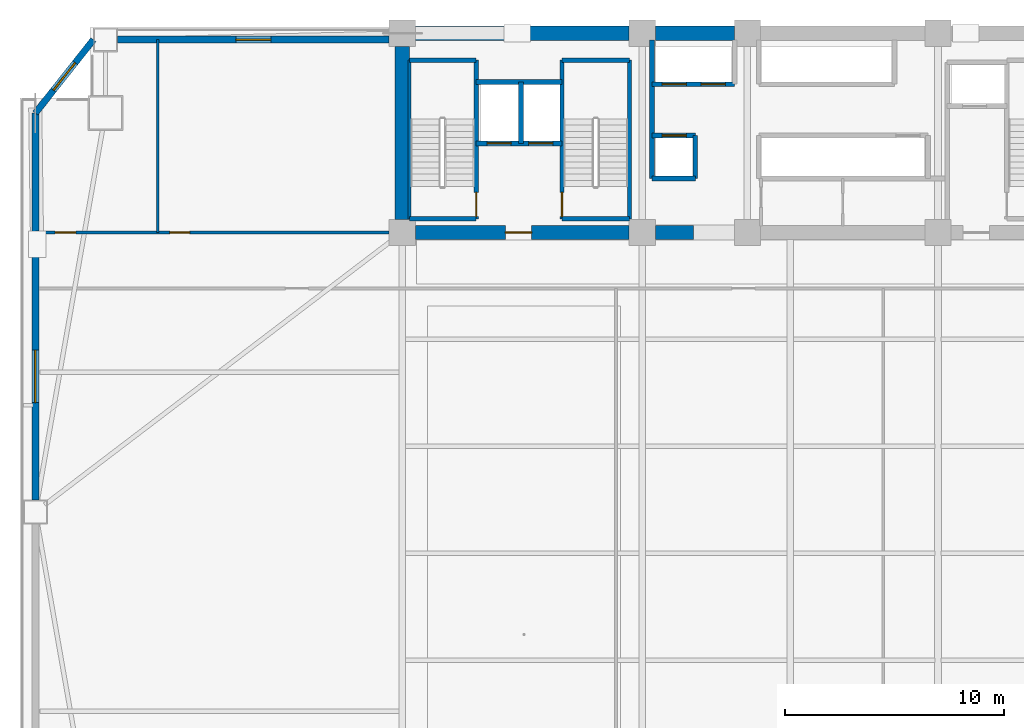
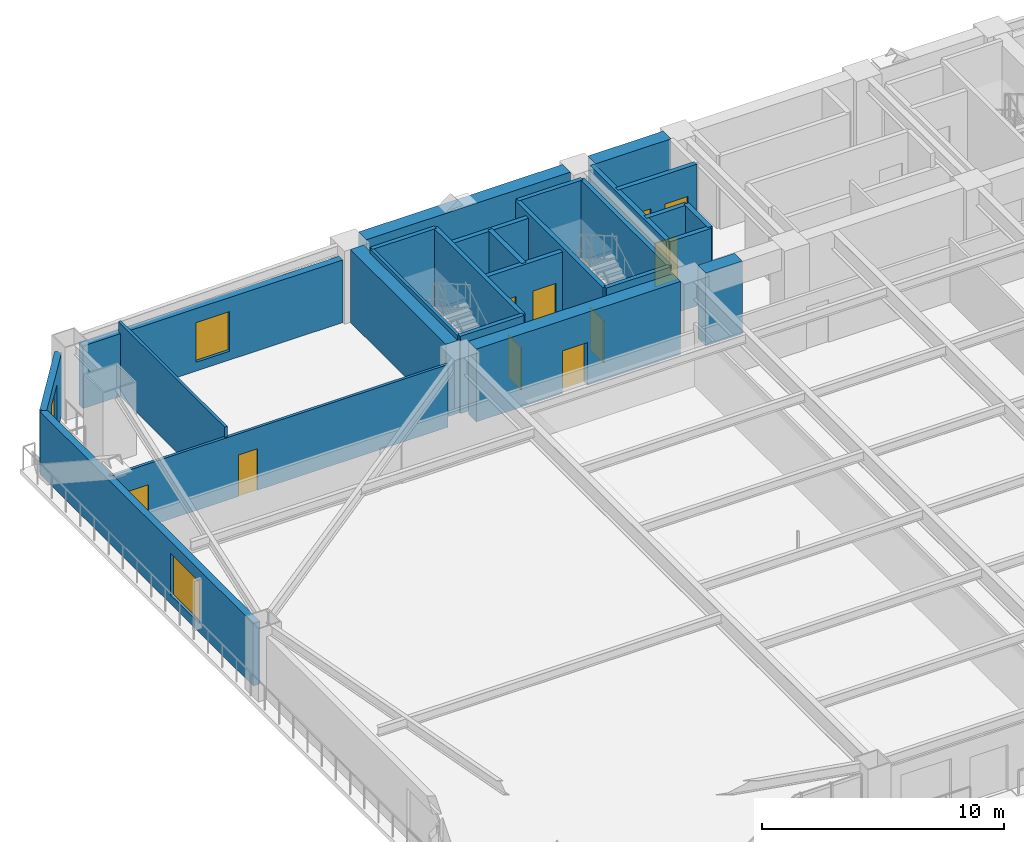
# One storey, part 9 of 17: 26 walls, 10 doors, 3 windows, 13 openings.
"""IFC4 building model written with IfcOpenShell, lengths in metres."""

from ifc_helpers import new_model, si_unit, direction, frame, frame_2d, origin, place, context, subcontext, project, spatial, rectangle, extrude, source, transform, mapped, material, layer, layer_set, type_object, element, fill, save


model = new_model("IFC4")

# Units and contexts
model_context = context("Model", 3, precision=1e-05, world=origin(), true_north=direction((0.0, 1.0)))
body_context = subcontext(model_context, "Body", "Model", "MODEL_VIEW")
ifc_project = project(units=[si_unit("LENGTHUNIT", "METRE"), si_unit("AREAUNIT", "SQUARE_METRE"), si_unit("VOLUMEUNIT", "CUBIC_METRE"), si_unit("PLANEANGLEUNIT", "RADIAN"), si_unit("MASSUNIT", "GRAM", prefix="KILO")], contexts=[model_context])

# Site, building, storey
site_placement = place(None, origin())
site = spatial("IfcSite", under=ifc_project, at=site_placement, CompositionType="ELEMENT")
building_placement = place(site_placement, origin())
building = spatial("IfcBuilding", under=site, at=building_placement, Name="Giltprow Tower", CompositionType="ELEMENT")
storey_placement = place(building_placement, frame((0.0, 0.0, 25.39990234375)))
storey = spatial("IfcBuildingStorey", under=building, at=storey_placement, Name="L06", CompositionType="ELEMENT", Elevation=25.39990234375)

# Wall, opening, window
ifc_material_1 = material(Name="Precast concrete C40", Category="concrete")
ifc_layer_1 = layer(ifc_material_1, 0.300048828125, Name="Precast concrete C40")
ifc_layer_set_1 = layer_set([ifc_layer_1], Name="Precast concrete C40")
wall_type_1 = type_object("IfcWallType", Name="EW-NOTCH-CHAMFER-300", PredefinedType="SOLIDWALL", material=ifc_layer_set_1)
wall_1_placement = place(storey_placement, frame((5.75, 46.25, 0.0), z_axis=(0.0, 0.0, 1.0), x_axis=(-0.620377885234, -0.784303053361, 0.0)))
wall_1 = element("IfcWall", 1, at=wall_1_placement, inside=storey, type_object=wall_type_1, Name="L06 Corner Notch Wall NW", PredefinedType="SOLIDWALL", context=body_context, shape_type="SweptSolid", body=[
    extrude(rectangle(XDim=4.271484375, YDim=0.300048828125, at=frame_2d((2.1357421875, 0.0))), origin(), (0.0, 0.0, 1.0), 3.16015625),
])
opening_1_placement = place(wall_1_placement, frame((1.3359375, 0.0, 0.449951171875)))
opening_1 = element("IfcOpeningElement", 2, at=opening_1_placement, cuts=wall_1, Name="Opening WN17", PredefinedType="OPENING", context=body_context, shape_type="SweptSolid", body=[
    extrude(rectangle(XDim=1.60009765625, YDim=2.0, at=frame_2d((0.800048828125, 1.0))), frame((0.0, 0.159912109375, 0.0), z_axis=(0.0, -1.0, 0.0), x_axis=(1.0, 0.0, 0.0)), (0.0, 0.0, 1.0), 0.320068359375),
])
ifc_material_2 = material(Name="Insulated glass", Category="glass")
window_type_1 = type_object("IfcWindowType", Name="WN-COR-1600x2000", PartitioningType="SINGLE_PANEL", PredefinedType="WINDOW", material=ifc_material_2)
shared_shape_1 = source(origin(), body_context, "Body", "SweptSolid", [
    extrude(rectangle(XDim=1.60009765625, YDim=2.0, at=frame_2d((0.800048828125, 1.0))), frame((0.0, 0.030029296875, 0.0), z_axis=(0.0, -1.0, 0.0), x_axis=(1.0, 0.0, 0.0)), (0.0, 0.0, 1.0), 0.06005859375),
])
window_1_placement = place(opening_1_placement, origin())
window_1 = element("IfcWindow", 3, at=window_1_placement, inside=storey, type_object=window_type_1, Name="L06 Corner Notch Window NW", OverallHeight=2.0, OverallWidth=1.60009765625, PartitioningType="SINGLE_PANEL", PredefinedType="WINDOW", context=body_context, shape_type="MappedRepresentation", body=[
    mapped(shared_shape_1, transform((0.0, 0.0, 0.0), x_axis=(1.0, 0.0, 0.0), y_axis=(0.0, 1.0, 0.0), z_axis=(0.0, 0.0, 1.0), scale=1.0)),
])
fill(opening_1, window_1)

ifc_layer_2 = layer(ifc_material_1, 0.320068359375, Name="Precast concrete C40")
ifc_layer_set_2 = layer_set([ifc_layer_2], Name="Precast concrete C40")
wall_type_2 = type_object("IfcWallType", Name="EW-TOW-STONE-320", PredefinedType="SOLIDWALL", material=ifc_layer_set_2)
wall_2_placement = place(storey_placement, frame((3.10009765625, 25.25, 0.0), z_axis=(0.0, 0.0, 1.0), x_axis=(0.0, 1.0, 0.0)))
wall_2 = element("IfcWall", 4, at=wall_2_placement, inside=storey, type_object=wall_type_2, Name="L06 W Wing Masonry Wall 2", PredefinedType="SOLIDWALL", context=body_context, shape_type="SweptSolid", body=[
    extrude(rectangle(XDim=17.64990234375, YDim=0.320068359375, at=frame_2d((8.824951171875, 0.0))), origin(), (0.0, 0.0, 1.0), 3.16015625),
])
opening_2_placement = place(wall_2_placement, frame((4.43603515625, 0.0, 0.449951171875)))
opening_2 = element("IfcOpeningElement", 5, at=opening_2_placement, cuts=wall_2, Name="Opening WN29", PredefinedType="OPENING", context=body_context, shape_type="SweptSolid", body=[
    extrude(rectangle(XDim=2.39990234375, YDim=2.10009765625, at=frame_2d((1.199951171875, 1.050048828125))), frame((0.0, 0.169921875, 0.0), z_axis=(0.0, -1.0, 0.0), x_axis=(1.0, 0.0, 0.0)), (0.0, 0.0, 1.0), 0.340087890625),
])
window_type_2 = type_object("IfcWindowType", Name="WN-OFF-2400x2100", PartitioningType="DOUBLE_PANEL_VERTICAL", PredefinedType="WINDOW", material=ifc_material_2)
shared_shape_2 = source(origin(), body_context, "Body", "SweptSolid", [
    extrude(rectangle(XDim=2.39990234375, YDim=2.10009765625, at=frame_2d((1.199951171875, 1.050048828125))), frame((0.0, 0.030029296875, 0.0), z_axis=(0.0, -1.0, 0.0), x_axis=(1.0, 0.0, 0.0)), (0.0, 0.0, 1.0), 0.06005859375),
])
window_2_placement = place(opening_2_placement, origin())
window_2 = element("IfcWindow", 6, at=window_2_placement, inside=storey, type_object=window_type_2, Name="L06 W Wing Window 2-1", OverallHeight=2.10009765625, OverallWidth=2.39990234375, PartitioningType="SINGLE_PANEL", PredefinedType="WINDOW", context=body_context, shape_type="MappedRepresentation", body=[
    mapped(shared_shape_2, transform((0.0, 0.0, 0.0), x_axis=(1.0, 0.0, 0.0), y_axis=(0.0, 1.0, 0.0), z_axis=(0.0, 0.0, 1.0), scale=1.0)),
])
fill(opening_2, window_2)

wall_3_placement = place(storey_placement, frame((6.85009765625, 46.25, 0.0), z_axis=(0.0, 0.0, 1.0), x_axis=(1.0, 0.0, 0.0)))
wall_3 = element("IfcWall", 7, at=wall_3_placement, inside=storey, type_object=wall_type_2, Name="L06 North-West Wing Wall", PredefinedType="SOLIDWALL", context=body_context, shape_type="SweptSolid", body=[
    extrude(rectangle(XDim=12.39990234375, YDim=0.320068359375, at=frame_2d((6.199951171875, 0.0))), origin(), (0.0, 0.0, 1.0), 3.16015625),
])
opening_3_placement = place(wall_3_placement, frame((5.39990234375, 0.0, 0.449951171875)))
opening_3 = element("IfcOpeningElement", 8, at=opening_3_placement, cuts=wall_3, Name="Opening WN17", PredefinedType="OPENING", context=body_context, shape_type="SweptSolid", body=[
    extrude(rectangle(XDim=1.60009765625, YDim=2.0, at=frame_2d((0.800048828125, 1.0))), frame((0.0, 0.169921875, 0.0), z_axis=(0.0, -1.0, 0.0), x_axis=(1.0, 0.0, 0.0)), (0.0, 0.0, 1.0), 0.340087890625),
])
window_3_placement = place(opening_3_placement, origin())
window_3 = element("IfcWindow", 9, at=window_3_placement, inside=storey, type_object=window_type_1, Name="L06 North-West Window", OverallHeight=2.0, OverallWidth=1.60009765625, PartitioningType="SINGLE_PANEL", PredefinedType="WINDOW", context=body_context, shape_type="MappedRepresentation", body=[
    mapped(shared_shape_1, transform((0.0, 0.0, 0.0), x_axis=(1.0, 0.0, 0.0), y_axis=(0.0, 1.0, 0.0), z_axis=(0.0, 0.0, 1.0), scale=1.0)),
])
fill(opening_3, window_3)

# Wall, openings, doors
ifc_material_3 = material(Name="Concrete C40", Category="concrete")
ifc_layer_3 = layer(ifc_material_3, 0.219970703125, Name="Concrete C40")
ifc_layer_set_3 = layer_set([ifc_layer_3], Name="Concrete C40")
wall_type_3 = type_object("IfcWallType", Name="IW-SHAFT-220", PredefinedType="SOLIDWALL", material=ifc_layer_set_3)
wall_4_placement = place(storey_placement, frame((23.219970703125, 41.52001953125, 0.0), z_axis=(0.0, 0.0, 1.0), x_axis=(1.0, 0.0, 0.0)))
wall_4 = element("IfcWall", 10, at=wall_4_placement, inside=storey, type_object=wall_type_3, Name="L06 FFL1 and Service Lift Front Wall", PredefinedType="SOLIDWALL", context=body_context, shape_type="SweptSolid", body=[
    extrude(rectangle(XDim=3.919921875, YDim=0.219970703125, at=frame_2d((1.9599609375, 0.0))), origin(), (0.0, 0.0, 1.0), 3.68017578125),
])
opening_4_placement = place(wall_4_placement, frame((0.5, 0.0, 0.0)))
opening_4 = element("IfcOpeningElement", 11, at=opening_4_placement, cuts=wall_4, Name="Opening LD-11", PredefinedType="OPENING", context=body_context, shape_type="SweptSolid", body=[
    extrude(rectangle(XDim=1.10009765625, YDim=2.199951171875, at=frame_2d((0.550048828125, 1.10009765625))), frame((0.0, 0.119873046875, 0.0), z_axis=(0.0, -1.0, 0.0), x_axis=(1.0, 0.0, 0.0)), (0.0, 0.0, 1.0), 0.239990234375),
])
opening_5_placement = place(wall_4_placement, frame((2.39990234375, 0.0, 0.0)))
opening_5 = element("IfcOpeningElement", 12, at=opening_5_placement, cuts=wall_4, Name="Opening LD-11", PredefinedType="OPENING", context=body_context, shape_type="SweptSolid", body=[
    extrude(rectangle(XDim=1.10009765625, YDim=2.199951171875, at=frame_2d((0.550048828125, 1.10009765625))), frame((0.0, 0.119873046875, 0.0), z_axis=(0.0, -1.0, 0.0), x_axis=(1.0, 0.0, 0.0)), (0.0, 0.0, 1.0), 0.239990234375),
])
ifc_material_4 = material(Name="Stainless steel", Category="steel")
door_type_1 = type_object("IfcDoorType", Name="DR-LIFT-LD1100", OperationType="SLIDING_TO_LEFT", PredefinedType="DOOR", material=ifc_material_4)
shared_shape_3 = source(origin(), body_context, "Body", "SweptSolid", [
    extrude(rectangle(XDim=1.10009765625, YDim=2.199951171875, at=frame_2d((0.550048828125, 1.10009765625))), frame((0.0, 0.02490234375, 0.0), z_axis=(0.0, -1.0, 0.0), x_axis=(1.0, 0.0, 0.0)), (0.0, 0.0, 1.0), 0.050048828125),
])
door_1_placement = place(opening_4_placement, origin())
door_1 = element("IfcDoor", 13, at=door_1_placement, inside=storey, type_object=door_type_1, Name="L06 FFL1 Landing Door", OperationType="SLIDING_TO_LEFT", OverallHeight=2.199951171875, OverallWidth=1.10009765625, PredefinedType="DOOR", context=body_context, shape_type="MappedRepresentation", body=[
    mapped(shared_shape_3, transform((0.0, 0.0, 0.0), x_axis=(1.0, 0.0, 0.0), y_axis=(0.0, 1.0, 0.0), z_axis=(0.0, 0.0, 1.0), scale=1.0)),
])
fill(opening_4, door_1)
door_2_placement = place(opening_5_placement, origin())
door_2 = element("IfcDoor", 14, at=door_2_placement, inside=storey, type_object=door_type_1, Name="L06 SVL1 Landing Door", OperationType="SLIDING_TO_LEFT", OverallHeight=2.199951171875, OverallWidth=1.10009765625, PredefinedType="DOOR", context=body_context, shape_type="MappedRepresentation", body=[
    mapped(shared_shape_3, transform((0.0, 0.0, 0.0), x_axis=(1.0, 0.0, 0.0), y_axis=(0.0, 1.0, 0.0), z_axis=(0.0, 0.0, 1.0), scale=1.0)),
])
fill(opening_5, door_2)

# Walls
wall_5_placement = place(storey_placement, frame((25.260009765625, 41.52001953125, 0.0), z_axis=(0.0, 0.0, 1.0), x_axis=(0.0, 1.0, 0.0)))
element("IfcWall", 15, at=wall_5_placement, inside=storey, type_object=wall_type_3, Name="L06 FFL1-SVL1 Shaft Divider", PredefinedType="SOLIDWALL", context=body_context, shape_type="SweptSolid", body=[
    extrude(rectangle(XDim=2.800048828125, YDim=0.219970703125, at=frame_2d((1.39990234375, 0.0))), origin(), (0.0, 0.0, 1.0), 3.68017578125),
])
wall_6_placement = place(storey_placement, frame((23.219970703125, 44.320068359375, 0.0), z_axis=(0.0, 0.0, 1.0), x_axis=(1.0, 0.0, 0.0)))
element("IfcWall", 16, at=wall_6_placement, inside=storey, type_object=wall_type_3, Name="L06 FFL1-SVL1 Back Shaft Wall", PredefinedType="SOLIDWALL", context=body_context, shape_type="SweptSolid", body=[
    extrude(rectangle(XDim=3.919921875, YDim=0.219970703125, at=frame_2d((1.9599609375, 0.0))), origin(), (0.0, 0.0, 1.0), 3.68017578125),
])

# Wall, openings, doors
wall_7_placement = place(storey_placement, frame((31.25, 44.219970703125, 0.0), z_axis=(0.0, 0.0, 1.0), x_axis=(1.0, 0.0, 0.0)))
wall_7 = element("IfcWall", 17, at=wall_7_placement, inside=storey, type_object=wall_type_3, Name="L06 North West Lift Shaft Front Wall", PredefinedType="SOLIDWALL", context=body_context, shape_type="SweptSolid", body=[
    extrude(rectangle(XDim=3.77001953125, YDim=0.219970703125, at=frame_2d((1.885009765625, 0.0))), origin(), (0.0, 0.0, 1.0), 3.68017578125),
])
opening_6_placement = place(wall_7_placement, frame((0.4599609375, 0.0, 0.0)))
opening_6 = element("IfcOpeningElement", 18, at=opening_6_placement, cuts=wall_7, Name="Opening LD-11", PredefinedType="OPENING", context=body_context, shape_type="SweptSolid", body=[
    extrude(rectangle(XDim=1.10009765625, YDim=2.199951171875, at=frame_2d((0.550048828125, 1.10009765625))), frame((0.0, 0.119873046875, 0.0), z_axis=(0.0, -1.0, 0.0), x_axis=(1.0, 0.0, 0.0)), (0.0, 0.0, 1.0), 0.239990234375),
])
opening_7_placement = place(wall_7_placement, frame((2.239990234375, 0.0, 0.0)))
opening_7 = element("IfcOpeningElement", 19, at=opening_7_placement, cuts=wall_7, Name="Opening LD-11", PredefinedType="OPENING", context=body_context, shape_type="SweptSolid", body=[
    extrude(rectangle(XDim=1.10009765625, YDim=2.199951171875, at=frame_2d((0.550048828125, 1.10009765625))), frame((0.0, 0.119873046875, 0.0), z_axis=(0.0, -1.0, 0.0), x_axis=(1.0, 0.0, 0.0)), (0.0, 0.0, 1.0), 0.239990234375),
])
door_3_placement = place(opening_6_placement, origin())
door_3 = element("IfcDoor", 20, at=door_3_placement, inside=storey, type_object=door_type_1, Name="L06 PL-L1 Landing Door", OperationType="SLIDING_TO_LEFT", OverallHeight=2.199951171875, OverallWidth=1.10009765625, PredefinedType="DOOR", context=body_context, shape_type="MappedRepresentation", body=[
    mapped(shared_shape_3, transform((0.0, 0.0, 0.0), x_axis=(1.0, 0.0, 0.0), y_axis=(0.0, 1.0, 0.0), z_axis=(0.0, 0.0, 1.0), scale=1.0)),
])
fill(opening_6, door_3)
door_4_placement = place(opening_7_placement, origin())
door_4 = element("IfcDoor", 21, at=door_4_placement, inside=storey, type_object=door_type_1, Name="L06 PL-L2 Landing Door", OperationType="SLIDING_TO_LEFT", OverallHeight=2.199951171875, OverallWidth=1.10009765625, PredefinedType="DOOR", context=body_context, shape_type="MappedRepresentation", body=[
    mapped(shared_shape_3, transform((0.0, 0.0, 0.0), x_axis=(1.0, 0.0, 0.0), y_axis=(0.0, 1.0, 0.0), z_axis=(0.0, 0.0, 1.0), scale=1.0)),
])
fill(opening_7, door_4)

# Wall, opening, door
wall_8_placement = place(storey_placement, frame((31.25, 41.8798828125, 0.0), z_axis=(0.0, 0.0, 1.0), x_axis=(1.0, 0.0, 0.0)))
wall_8 = element("IfcWall", 22, at=wall_8_placement, inside=storey, type_object=wall_type_3, Name="L06 South West Lift Shaft Front Wall", PredefinedType="SOLIDWALL", context=body_context, shape_type="SweptSolid", body=[
    extrude(rectangle(XDim=1.969970703125, YDim=0.219970703125, at=frame_2d((0.98486328125, 0.0))), origin(), (0.0, 0.0, 1.0), 3.68017578125),
])
opening_8_placement = place(wall_8_placement, frame((0.4599609375, 0.0, 0.0)))
opening_8 = element("IfcOpeningElement", 23, at=opening_8_placement, cuts=wall_8, Name="Opening LD-11", PredefinedType="OPENING", context=body_context, shape_type="SweptSolid", body=[
    extrude(rectangle(XDim=1.10009765625, YDim=2.199951171875, at=frame_2d((0.550048828125, 1.10009765625))), frame((0.0, 0.119873046875, 0.0), z_axis=(0.0, -1.0, 0.0), x_axis=(1.0, 0.0, 0.0)), (0.0, 0.0, 1.0), 0.239990234375),
])
door_5_placement = place(opening_8_placement, origin())
door_5 = element("IfcDoor", 24, at=door_5_placement, inside=storey, type_object=door_type_1, Name="L06 PL-L3 Landing Door", OperationType="SLIDING_TO_LEFT", OverallHeight=2.199951171875, OverallWidth=1.10009765625, PredefinedType="DOOR", context=body_context, shape_type="MappedRepresentation", body=[
    mapped(shared_shape_3, transform((0.0, 0.0, 0.0), x_axis=(1.0, 0.0, 0.0), y_axis=(0.0, 1.0, 0.0), z_axis=(0.0, 0.0, 1.0), scale=1.0)),
])
fill(opening_8, door_5)

# Walls
wall_9_placement = place(storey_placement, frame((31.25, 39.919921875, 0.0), z_axis=(0.0, 0.0, 1.0), x_axis=(1.0, 0.0, 0.0)))
element("IfcWall", 25, at=wall_9_placement, inside=storey, type_object=wall_type_3, Name="L06 Low-Rise South Lift Back Wall", PredefinedType="SOLIDWALL", context=body_context, shape_type="SweptSolid", body=[
    extrude(rectangle(XDim=1.969970703125, YDim=0.219970703125, at=frame_2d((0.98486328125, 0.0))), origin(), (0.0, 0.0, 1.0), 3.68017578125),
])
wall_10_placement = place(storey_placement, frame((33.219970703125, 39.919921875, 0.0), z_axis=(0.0, 0.0, 1.0), x_axis=(0.0, 1.0, 0.0)))
element("IfcWall", 26, at=wall_10_placement, inside=storey, type_object=wall_type_3, Name="L06 Low-Rise South Lift East Closure", PredefinedType="SOLIDWALL", context=body_context, shape_type="SweptSolid", body=[
    extrude(rectangle(XDim=1.9599609375, YDim=0.219970703125, at=frame_2d((0.97998046875, 0.0))), origin(), (0.0, 0.0, 1.0), 3.68017578125),
])
wall_11_placement = place(storey_placement, frame((31.25, 39.919921875, 0.0), z_axis=(0.0, 0.0, 1.0), x_axis=(0.0, 1.0, 0.0)))
element("IfcWall", 27, at=wall_11_placement, inside=storey, type_object=wall_type_3, Name="L06 Lift Bank West Closure", PredefinedType="SOLIDWALL", context=body_context, shape_type="SweptSolid", body=[
    extrude(rectangle(XDim=6.3251953125, YDim=0.219970703125, at=frame_2d((3.16259765625, 0.0))), origin(), (0.0, 0.0, 1.0), 3.68017578125),
])
ifc_material_5 = material(Name="Concrete C45", Category="concrete")
ifc_layer_4 = layer(ifc_material_5, 0.139892578125, Name="Concrete C45")
ifc_layer_set_4 = layer_set([ifc_layer_4], Name="Concrete C45")
wall_type_4 = type_object("IfcWallType", Name="IW-STAIR-140", PredefinedType="SOLIDWALL", material=ifc_layer_set_4)
wall_12_placement = place(storey_placement, frame((20.169921875, 38.070068359375, 0.0), z_axis=(0.0, 0.0, 1.0), x_axis=(0.0, 1.0, 0.0)))
element("IfcWall", 28, at=wall_12_placement, inside=storey, type_object=wall_type_4, Name="L06 Stair ST-1 West Bearing Wall", PredefinedType="SOLIDWALL", context=body_context, shape_type="SweptSolid", body=[
    extrude(rectangle(XDim=7.25, YDim=0.139892578125, at=frame_2d((3.625, 0.0))), origin(), (0.0, 0.0, 1.0), 3.900146484375),
])

# Wall, opening, door
ifc_layer_5 = layer(ifc_material_3, 0.199951171875, Name="Concrete C40")
ifc_layer_set_5 = layer_set([ifc_layer_5], Name="Concrete C40")
wall_type_5 = type_object("IfcWallType", Name="IW-STAIR-200", PredefinedType="SOLIDWALL", material=ifc_layer_set_5)
wall_13_placement = place(storey_placement, frame((23.219970703125, 38.070068359375, 0.0), z_axis=(0.0, 0.0, 1.0), x_axis=(0.0, 1.0, 0.0)))
wall_13 = element("IfcWall", 29, at=wall_13_placement, inside=storey, type_object=wall_type_5, Name="L06 Stair ST-1 East Bearing Wall", PredefinedType="SOLIDWALL", context=body_context, shape_type="SweptSolid", body=[
    extrude(rectangle(XDim=7.25, YDim=0.199951171875, at=frame_2d((3.625, 0.0))), origin(), (0.0, 0.0, 1.0), 3.900146484375),
])
opening_9_placement = place(wall_13_placement, frame((0.110107421875, 0.0, 0.0)))
opening_9 = element("IfcOpeningElement", 30, at=opening_9_placement, cuts=wall_13, Name="Opening ID33", PredefinedType="OPENING", context=body_context, shape_type="SweptSolid", body=[
    extrude(rectangle(XDim=1.10009765625, YDim=2.14990234375, at=frame_2d((0.550048828125, 1.074951171875))), frame((0.0, 0.10986328125, 0.0), z_axis=(0.0, -1.0, 0.0), x_axis=(1.0, 0.0, 0.0)), (0.0, 0.0, 1.0), 0.219970703125),
])
ifc_material_6 = material(Name="Steel fire leaf", Category="steel")
door_type_2 = type_object("IfcDoorType", Name="DR-STAIR-1100", OperationType="SINGLE_SWING_LEFT", PredefinedType="DOOR", material=ifc_material_6)
shared_shape_4 = source(origin(), body_context, "Body", "SweptSolid", [
    extrude(rectangle(XDim=1.10009765625, YDim=2.14990234375, at=frame_2d((0.550048828125, 1.074951171875))), frame((0.0, 0.02490234375, 0.0), z_axis=(0.0, -1.0, 0.0), x_axis=(1.0, 0.0, 0.0)), (0.0, 0.0, 1.0), 0.050048828125),
])
door_6_placement = place(opening_9_placement, origin())
door_6 = element("IfcDoor", 31, at=door_6_placement, inside=storey, type_object=door_type_2, Name="L06 Stair ST-1 Fire Door", OperationType="SINGLE_SWING_RIGHT", OverallHeight=2.14990234375, OverallWidth=1.10009765625, PredefinedType="DOOR", context=body_context, shape_type="MappedRepresentation", body=[
    mapped(shared_shape_4, transform((0.0, 0.0, 0.0), x_axis=(1.0, 0.0, 0.0), y_axis=(0.0, 1.0, 0.0), z_axis=(0.0, 0.0, 1.0), scale=1.0)),
])
fill(opening_9, door_6)

# Walls
for number, where, z_axis, x_axis, name in (
    (32, (20.169921875, 45.320068359375, 0.0), (0.0, 0.0, 1.0), (1.0, 0.0, 0.0), "L06 Stair ST-1 North Bearing Wall"),
    (33, (20.169921875, 38.070068359375, 0.0), (0.0, 0.0, 1.0), (1.0, 0.0, 0.0), "L06 Stair ST-1 South Bearing Wall"),
):
    element("IfcWall", number, at=place(storey_placement, frame(where, z_axis=z_axis, x_axis=x_axis)), inside=storey, type_object=wall_type_5, Name=name, PredefinedType="SOLIDWALL", context=body_context, shape_type="SweptSolid", body=[
        extrude(rectangle(XDim=3.050048828125, YDim=0.199951171875, at=frame_2d((1.52490234375, 0.0))), origin(), (0.0, 0.0, 1.0), 3.900146484375),
    ])

# Wall, opening, door
wall_14_placement = place(storey_placement, frame((27.139892578125, 38.070068359375, 0.0), z_axis=(0.0, 0.0, 1.0), x_axis=(0.0, 1.0, 0.0)))
wall_14 = element("IfcWall", 34, at=wall_14_placement, inside=storey, type_object=wall_type_5, Name="L06 Stair ST-2 West Bearing Wall", PredefinedType="SOLIDWALL", context=body_context, shape_type="SweptSolid", body=[
    extrude(rectangle(XDim=7.25, YDim=0.199951171875, at=frame_2d((3.625, 0.0))), origin(), (0.0, 0.0, 1.0), 3.900146484375),
])
opening_10_placement = place(wall_14_placement, frame((0.110107421875, 0.0, 0.0)))
opening_10 = element("IfcOpeningElement", 35, at=opening_10_placement, cuts=wall_14, Name="Opening ID33", PredefinedType="OPENING", context=body_context, shape_type="SweptSolid", body=[
    extrude(rectangle(XDim=1.10009765625, YDim=2.14990234375, at=frame_2d((0.550048828125, 1.074951171875))), frame((0.0, 0.10986328125, 0.0), z_axis=(0.0, -1.0, 0.0), x_axis=(1.0, 0.0, 0.0)), (0.0, 0.0, 1.0), 0.219970703125),
])
door_7_placement = place(opening_10_placement, origin())
door_7 = element("IfcDoor", 36, at=door_7_placement, inside=storey, type_object=door_type_2, Name="L06 Stair ST-2 Fire Door", OperationType="SINGLE_SWING_LEFT", OverallHeight=2.14990234375, OverallWidth=1.10009765625, PredefinedType="DOOR", context=body_context, shape_type="MappedRepresentation", body=[
    mapped(shared_shape_4, transform((0.0, 0.0, 0.0), x_axis=(1.0, 0.0, 0.0), y_axis=(0.0, 1.0, 0.0), z_axis=(0.0, 0.0, 1.0), scale=1.0)),
])
fill(opening_10, door_7)

# Walls
wall_15_placement = place(storey_placement, frame((30.219970703125, 38.070068359375, 0.0), z_axis=(0.0, 0.0, 1.0), x_axis=(0.0, 1.0, 0.0)))
element("IfcWall", 37, at=wall_15_placement, inside=storey, type_object=wall_type_5, Name="L06 Stair ST-2 East Bearing Wall", PredefinedType="SOLIDWALL", context=body_context, shape_type="SweptSolid", body=[
    extrude(rectangle(XDim=7.25, YDim=0.199951171875, at=frame_2d((3.625, 0.0))), origin(), (0.0, 0.0, 1.0), 3.900146484375),
])
for number, where, z_axis, x_axis, name in (
    (38, (27.139892578125, 45.320068359375, 0.0), (0.0, 0.0, 1.0), (1.0, 0.0, 0.0), "L06 Stair ST-2 North Bearing Wall"),
    (39, (27.139892578125, 38.070068359375, 0.0), (0.0, 0.0, 1.0), (1.0, 0.0, 0.0), "L06 Stair ST-2 South Bearing Wall"),
):
    element("IfcWall", number, at=place(storey_placement, frame(where, z_axis=z_axis, x_axis=x_axis)), inside=storey, type_object=wall_type_5, Name=name, PredefinedType="SOLIDWALL", context=body_context, shape_type="SweptSolid", body=[
        extrude(rectangle(XDim=3.080078125, YDim=0.199951171875, at=frame_2d((1.5400390625, 0.0))), origin(), (0.0, 0.0, 1.0), 3.900146484375),
    ])

# Wall, openings, doors
ifc_material_7 = material(Name="Concrete C30", Category="concrete")
ifc_layer_6 = layer(ifc_material_7, 0.1298828125, Name="Concrete C30")
ifc_layer_set_6 = layer_set([ifc_layer_6], Name="Concrete C30")
wall_type_6 = type_object("IfcWallType", Name="IW-WET-130", PredefinedType="PARTITIONING", material=ifc_layer_set_6)
wall_16_placement = place(storey_placement, frame((3.10009765625, 37.449951171875, 0.0), z_axis=(0.0, 0.0, 1.0), x_axis=(1.0, 0.0, 0.0)))
wall_16 = element("IfcWall", 40, at=wall_16_placement, inside=storey, type_object=wall_type_6, Name="L06 NW Wing South Wall", PredefinedType="PARTITIONING", context=body_context, shape_type="SweptSolid", body=[
    extrude(rectangle(XDim=16.14990234375, YDim=0.1298828125, at=frame_2d((8.074951171875, 0.0))), origin(), (0.0, 0.0, 1.0), 3.1650390625),
])
opening_11_placement = place(wall_16_placement, frame((0.89990234375, 0.0, 0.0)))
opening_11 = element("IfcOpeningElement", 41, at=opening_11_placement, cuts=wall_16, Name="Opening ID11", PredefinedType="OPENING", context=body_context, shape_type="SweptSolid", body=[
    extrude(rectangle(XDim=0.949951171875, YDim=2.10009765625, at=frame_2d((0.47509765625, 1.050048828125))), frame((0.0, 0.074951171875, 0.0), z_axis=(0.0, -1.0, 0.0), x_axis=(1.0, 0.0, 0.0)), (0.0, 0.0, 1.0), 0.14990234375),
])
opening_12_placement = place(wall_16_placement, frame((6.138916015625, 0.0, 0.0)))
opening_12 = element("IfcOpeningElement", 42, at=opening_12_placement, cuts=wall_16, Name="Opening ID15", PredefinedType="OPENING", context=body_context, shape_type="SweptSolid", body=[
    extrude(rectangle(XDim=0.89990234375, YDim=2.10009765625, at=frame_2d((0.449951171875, 1.050048828125))), frame((0.0, 0.074951171875, 0.0), z_axis=(0.0, -1.0, 0.0), x_axis=(1.0, 0.0, 0.0)), (0.0, 0.0, 1.0), 0.14990234375),
])
ifc_material_8 = material(Name="Engineered timber", Category="wood")
door_type_3 = type_object("IfcDoorType", Name="DR-WC-900", OperationType="SINGLE_SWING_LEFT", PredefinedType="DOOR", material=ifc_material_8)
shared_shape_5 = source(origin(), body_context, "Body", "SweptSolid", [
    extrude(rectangle(XDim=0.89990234375, YDim=2.10009765625, at=frame_2d((0.449951171875, 1.050048828125))), frame((0.0, 0.02490234375, 0.0), z_axis=(0.0, -1.0, 0.0), x_axis=(1.0, 0.0, 0.0)), (0.0, 0.0, 1.0), 0.050048828125),
])
door_8_placement = place(opening_12_placement, origin())
door_8 = element("IfcDoor", 43, at=door_8_placement, inside=storey, type_object=door_type_3, Name="L06 NW Washroom Door", OperationType="SINGLE_SWING_LEFT", OverallHeight=2.10009765625, OverallWidth=0.89990234375, PredefinedType="DOOR", context=body_context, shape_type="MappedRepresentation", body=[
    mapped(shared_shape_5, transform((0.0, 0.0, 0.0), x_axis=(1.0, 0.0, 0.0), y_axis=(0.0, 1.0, 0.0), z_axis=(0.0, 0.0, 1.0), scale=1.0)),
])
fill(opening_12, door_8)
door_type_4 = type_object("IfcDoorType", Name="DR-ROOM-950", OperationType="SINGLE_SWING_RIGHT", PredefinedType="DOOR", material=ifc_material_8)
shared_shape_6 = source(origin(), body_context, "Body", "SweptSolid", [
    extrude(rectangle(XDim=0.949951171875, YDim=2.10009765625, at=frame_2d((0.47509765625, 1.050048828125))), frame((0.0, 0.02490234375, 0.0), z_axis=(0.0, -1.0, 0.0), x_axis=(1.0, 0.0, 0.0)), (0.0, 0.0, 1.0), 0.050048828125),
])
door_9_placement = place(opening_11_placement, origin())
door_9 = element("IfcDoor", 44, at=door_9_placement, inside=storey, type_object=door_type_4, Name="L06 West Tenant Office West Door", OperationType="SINGLE_SWING_RIGHT", OverallHeight=2.10009765625, OverallWidth=0.949951171875, PredefinedType="DOOR", context=body_context, shape_type="MappedRepresentation", body=[
    mapped(shared_shape_6, transform((0.0, 0.0, 0.0), x_axis=(1.0, 0.0, 0.0), y_axis=(0.0, 1.0, 0.0), z_axis=(0.0, 0.0, 1.0), scale=1.0)),
])
fill(opening_11, door_9)

# Walls
wall_17_placement = place(storey_placement, frame((8.68896484375, 37.449951171875, 0.0), z_axis=(0.0, 0.0, 1.0), x_axis=(0.0, 1.0, 0.0)))
element("IfcWall", 45, at=wall_17_placement, inside=storey, type_object=wall_type_6, Name="L06 NW Wing Divider", PredefinedType="PARTITIONING", context=body_context, shape_type="SweptSolid", body=[
    extrude(rectangle(XDim=8.800048828125, YDim=0.1298828125, at=frame_2d((4.39990234375, 0.0))), origin(), (0.0, 0.0, 1.0), 3.68017578125),
])
ifc_material_9 = material(Name="Concrete C60", Category="concrete")
ifc_layer_7 = layer(ifc_material_9, 0.64990234375, Name="Concrete C60")
ifc_layer_set_7 = layer_set([ifc_layer_7], Name="Concrete C60")
wall_type_7 = type_object("IfcWallType", Name="SW-EXT-650-C60", PredefinedType="SHEAR", material=ifc_layer_set_7)
wall_18_placement = place(storey_placement, frame((20.449951171875, 46.550048828125, 0.0), z_axis=(0.0, 0.0, 1.0), x_axis=(1.0, 0.0, 0.0)))
element("IfcWall", 46, at=wall_18_placement, inside=storey, type_object=wall_type_7, Name="L06 North Rear Core Shear Wall 1", PredefinedType="SHEAR", context=body_context, shape_type="SweptSolid", body=[
    extrude(rectangle(XDim=9.75, YDim=0.64990234375, at=frame_2d((4.875, 0.0))), origin(), (0.0, 0.0, 1.0), 3.68017578125),
])
wall_19_placement = place(storey_placement, frame((31.39990234375, 46.550048828125, 0.0), z_axis=(0.0, 0.0, 1.0), x_axis=(1.0, 0.0, 0.0)))
element("IfcWall", 47, at=wall_19_placement, inside=storey, type_object=wall_type_7, Name="L06 North Rear Core Shear Wall 2", PredefinedType="SHEAR", context=body_context, shape_type="SweptSolid", body=[
    extrude(rectangle(XDim=3.60009765625, YDim=0.64990234375, at=frame_2d((1.800048828125, 0.0))), origin(), (0.0, 0.0, 1.0), 3.68017578125),
])

# Wall, opening, door
ifc_layer_8 = layer(ifc_material_9, 0.64990234375, Name="Concrete C60")
ifc_layer_set_8 = layer_set([ifc_layer_8], Name="Concrete C60")
wall_type_8 = type_object("IfcWallType", Name="SW-INT-650-C60", PredefinedType="SHEAR", material=ifc_layer_set_8)
wall_20_placement = place(storey_placement, frame((20.449951171875, 37.449951171875, 0.0), z_axis=(0.0, 0.0, 1.0), x_axis=(1.0, 0.0, 0.0)))
wall_20 = element("IfcWall", 48, at=wall_20_placement, inside=storey, type_object=wall_type_8, Name="L06 South Rear Core Shear Wall West", PredefinedType="SHEAR", context=body_context, shape_type="SweptSolid", body=[
    extrude(rectangle(XDim=9.75, YDim=0.64990234375, at=frame_2d((4.875, 0.0))), origin(), (0.0, 0.0, 1.0), 3.68017578125),
])
opening_13_placement = place(wall_20_placement, frame((4.10009765625, 0.0, 0.0)))
opening_13 = element("IfcOpeningElement", 49, at=opening_13_placement, cuts=wall_20, Name="Opening ID19", PredefinedType="OPENING", context=body_context, shape_type="SweptSolid", body=[
    extrude(rectangle(XDim=1.199951171875, YDim=2.14990234375, at=frame_2d((0.60009765625, 1.074951171875))), frame((0.0, 0.3349609375, 0.0), z_axis=(0.0, -1.0, 0.0), x_axis=(1.0, 0.0, 0.0)), (0.0, 0.0, 1.0), 0.669921875),
])
door_type_5 = type_object("IfcDoorType", Name="DR-FFLOBBY-1200", OperationType="SINGLE_SWING_RIGHT", PredefinedType="DOOR", material=ifc_material_6)
shared_shape_7 = source(origin(), body_context, "Body", "SweptSolid", [
    extrude(rectangle(XDim=1.199951171875, YDim=2.14990234375, at=frame_2d((0.60009765625, 1.074951171875))), frame((0.0, 0.02490234375, 0.0), z_axis=(0.0, -1.0, 0.0), x_axis=(1.0, 0.0, 0.0)), (0.0, 0.0, 1.0), 0.050048828125),
])
door_10_placement = place(opening_13_placement, origin())
door_10 = element("IfcDoor", 50, at=door_10_placement, inside=storey, type_object=door_type_5, Name="L06 West Firefighting Lobby Entry Door", OperationType="SINGLE_SWING_LEFT", OverallHeight=2.14990234375, OverallWidth=1.199951171875, PredefinedType="DOOR", context=body_context, shape_type="MappedRepresentation", body=[
    mapped(shared_shape_7, transform((0.0, 0.0, 0.0), x_axis=(1.0, 0.0, 0.0), y_axis=(0.0, 1.0, 0.0), z_axis=(0.0, 0.0, 1.0), scale=1.0)),
])
fill(opening_13, door_10)

# Walls
wall_21_placement = place(storey_placement, frame((31.39990234375, 37.449951171875, 0.0), z_axis=(0.0, 0.0, 1.0), x_axis=(1.0, 0.0, 0.0)))
element("IfcWall", 51, at=wall_21_placement, inside=storey, type_object=wall_type_8, Name="L06 South Rear Core Shear Wall Mid-West", PredefinedType="SHEAR", context=body_context, shape_type="SweptSolid", body=[
    extrude(rectangle(XDim=1.75, YDim=0.64990234375, at=frame_2d((0.875, 0.0))), origin(), (0.0, 0.0, 1.0), 3.68017578125),
])
wall_22_placement = place(storey_placement, frame((19.85009765625, 38.050048828125, 0.0), z_axis=(0.0, 0.0, 1.0), x_axis=(0.0, 1.0, 0.0)))
element("IfcWall", 52, at=wall_22_placement, inside=storey, type_object=wall_type_8, Name="L06 W Rear Core Shear Wall", PredefinedType="SHEAR", context=body_context, shape_type="SweptSolid", body=[
    extrude(rectangle(XDim=7.89990234375, YDim=0.64990234375, at=frame_2d((3.949951171875, 0.0))), origin(), (0.0, 0.0, 1.0), 3.68017578125),
])

save(model, "model.ifc")
